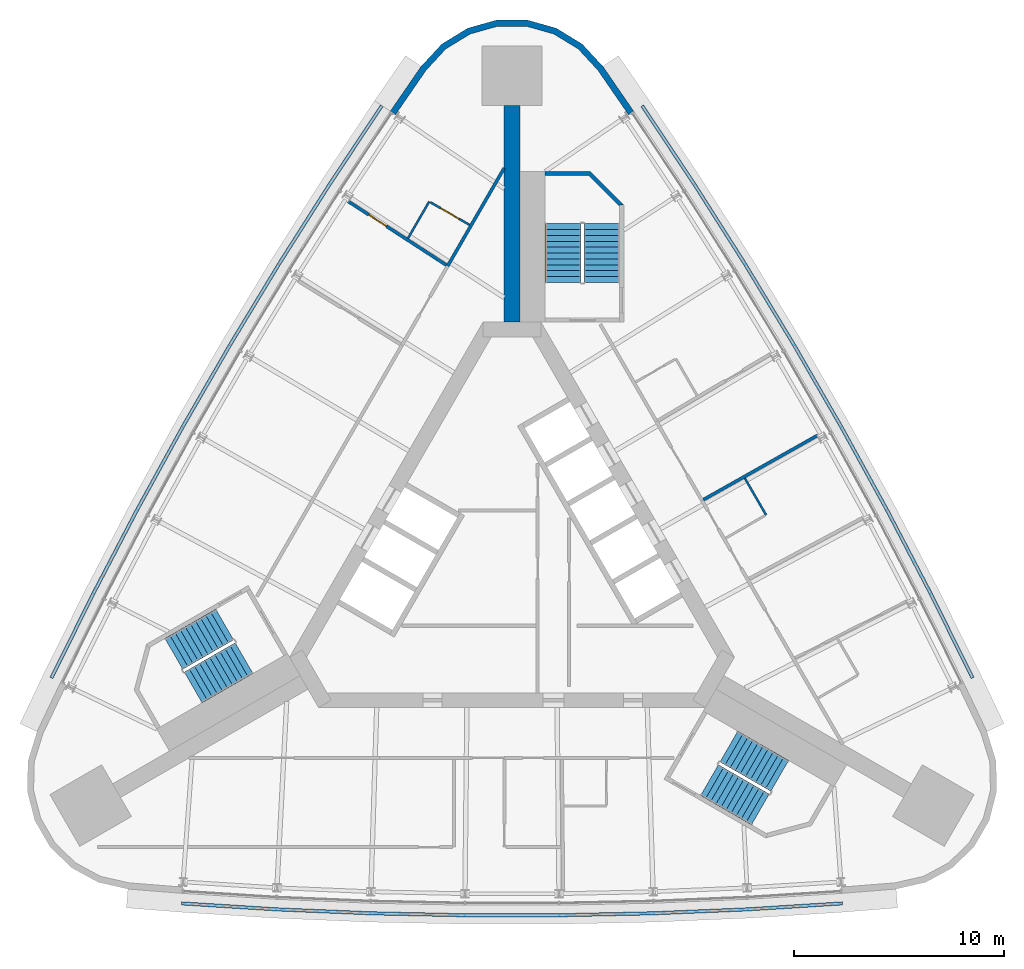
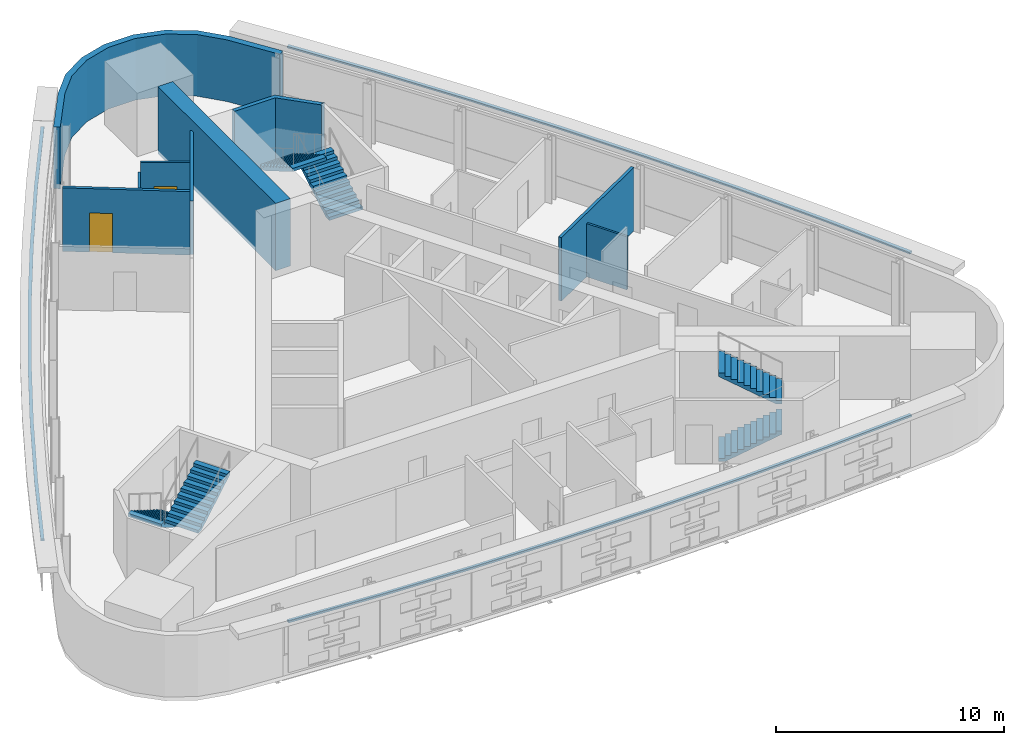
# One storey, part 10 of 12: 9 walls, 6 stair flights, 3 discrete accessories, 2 doors, 2 openings, 3 elements without a shape of their own.
"""IFC4 building model written with IfcOpenShell, lengths in metres."""

from ifc_helpers import new_model, si_unit, direction, frame, frame_2d, origin, place, context, subcontext, project, spatial, polyline, rectangle, outline, extrude, material, layer, layer_set, type_object, element, fill, aggregate, save


model = new_model("IFC4")

# Units and contexts
model_context = context("Model", 3, precision=1e-05, world=origin(), true_north=direction((0.0, 1.0)))
body_context = subcontext(model_context, "Body", "Model", "MODEL_VIEW")
ifc_project = project(units=[si_unit("LENGTHUNIT", "METRE"), si_unit("AREAUNIT", "SQUARE_METRE"), si_unit("VOLUMEUNIT", "CUBIC_METRE"), si_unit("PLANEANGLEUNIT", "RADIAN"), si_unit("MASSUNIT", "GRAM", prefix="KILO")], contexts=[model_context])

# Site, building, storey
site_placement = place(None, origin())
site = spatial("IfcSite", under=ifc_project, at=site_placement, CompositionType="ELEMENT")
building_placement = place(site_placement, origin())
building = spatial("IfcBuilding", under=site, at=building_placement, Name="Noor Cloister Tower", CompositionType="ELEMENT")
storey_placement = place(building_placement, frame((0.0, 0.0, 161.699951171875)))
storey = spatial("IfcBuildingStorey", under=building, at=storey_placement, Name="L41", CompositionType="ELEMENT", Elevation=161.699951171875)

# Walls
ifc_material_1 = material(Name="Concrete C70/85", Category="concrete")
ifc_layer_1 = layer(ifc_material_1, 0.75)
ifc_layer_set_1 = layer_set([ifc_layer_1], Name="Buttress wall 750 C70/85")
wall_type_1 = type_object("IfcWallType", Name="Buttress wall 750 C70/85", PredefinedType="SHEAR", material=ifc_layer_set_1)
wall_1_placement = place(storey_placement, frame((0.0, 11.456298828125, -0.199951171875), z_axis=(0.0, 0.0, 1.0), x_axis=(0.0, 1.0, 0.0)))
element("IfcWall", 1, at=wall_1_placement, inside=storey, type_object=wall_type_1, Name="Buttress wall N L41", PredefinedType="SHEAR", context=body_context, shape_type="SweptSolid", body=[
    extrude(rectangle(XDim=10.330810546875, YDim=0.75, at=frame_2d((5.16552734375, 0.0))), origin(), (0.0, 0.0, 1.0), 3.60009765625),
])
ifc_material_2 = material(Name="Fire-rated gypsum board partition on steel studs, 150 mm", Category="steel")
ifc_layer_2 = layer(ifc_material_2, 0.14990234375)
ifc_layer_set_2 = layer_set([ifc_layer_2], Name="Fire lobby wall 150")
wall_type_2 = type_object("IfcWallType", Name="Fire lobby wall 150", PredefinedType="PARTITIONING", material=ifc_layer_set_2)
wall_2_placement = place(storey_placement, frame((-0.375, 18.806884765625, 0.0), z_axis=(0.0, 0.0, 1.0), x_axis=(-0.499989180974, -0.866031650062, 0.0)))
element("IfcWall", 2, at=wall_2_placement, inside=storey, type_object=wall_type_2, Name="Wall L41-W24", PredefinedType="PARTITIONING", context=body_context, shape_type="SweptSolid", body=[
    extrude(rectangle(XDim=5.3876953125, YDim=0.14990234375, at=frame_2d((2.69384765625, 0.0))), origin(), (0.0, 0.0, 1.0), 2.84716796875),
])
ifc_material_3 = material(Name="Gypsum board partition on steel studs, 150 mm", Category="steel")
ifc_layer_3 = layer(ifc_material_3, 0.14990234375)
ifc_layer_set_3 = layer_set([ifc_layer_3], Name="Flat wall 150")
wall_type_3 = type_object("IfcWallType", Name="Flat wall 150", PredefinedType="PARTITIONING", material=ifc_layer_set_3)
wall_3_placement = place(storey_placement, frame((14.582275390625, 6.060302734375, 0.0), z_axis=(0.0, 0.0, 1.0), x_axis=(-0.871229292109, -0.490876278272, 0.0)))
element("IfcWall", 3, at=wall_3_placement, inside=storey, type_object=wall_type_3, Name="Wall L41-W03", PredefinedType="PARTITIONING", context=body_context, shape_type="SweptSolid", body=[
    extrude(rectangle(XDim=6.255859375, YDim=0.14990234375, at=frame_2d((3.1279296875, 0.0))), origin(), (0.0, 0.0, 1.0), 3.400146484375),
])

# Wall, opening, door
wall_4_placement = place(storey_placement, frame((-7.81982421875, 17.226318359375, 0.0), z_axis=(0.0, 0.0, 1.0), x_axis=(0.838649113596, -0.544672070391, 0.0)))
wall_4 = element("IfcWall", 4, at=wall_4_placement, inside=storey, type_object=wall_type_3, Name="Wall L41-W26", PredefinedType="PARTITIONING", context=body_context, shape_type="SweptSolid", body=[
    extrude(rectangle(XDim=5.58984375, YDim=0.14990234375, at=frame_2d((2.794921875, 0.0))), origin(), (0.0, 0.0, 1.0), 3.400146484375),
])
opening_1_placement = place(wall_4_placement, frame((1.180908203125, 0.0, 0.0)))
opening_1 = element("IfcOpeningElement", 5, at=opening_1_placement, cuts=wall_4, Name="Opening L41-018", PredefinedType="OPENING", context=body_context, shape_type="SweptSolid", body=[
    extrude(rectangle(XDim=1.0, YDim=2.10009765625, at=frame_2d((0.5, 1.050048828125))), frame((0.0, 0.0849609375, 0.0), z_axis=(0.0, -1.0, 0.0), x_axis=(1.0, 0.0, 0.0)), (0.0, 0.0, 1.0), 0.169921875),
])
ifc_material_4 = material(Name="Timber door leaf with steel frame", Category="steel")
door_type_1 = type_object("IfcDoorType", Name="Flat entrance door 1000", OperationType="NOTDEFINED", PredefinedType="DOOR", material=ifc_material_4)
door_1_placement = place(opening_1_placement, origin())
door_1 = element("IfcDoor", 6, at=door_1_placement, inside=storey, type_object=door_type_1, Name="Door L41-018", OperationType="SINGLE_SWING_RIGHT", OverallHeight=2.10009765625, OverallWidth=1.0, PredefinedType="DOOR", context=body_context, shape_type="SweptSolid", body=[
    extrude(rectangle(XDim=1.0, YDim=2.10009765625, at=frame_2d((0.5, 1.050048828125))), frame((0.0, 0.02490234375, 0.0), z_axis=(0.0, -1.0, 0.0), x_axis=(1.0, 0.0, 0.0)), (0.0, 0.0, 1.0), 0.050048828125),
])
fill(opening_1, door_1)

# Walls
ifc_material_5 = material(Name="Limestone", Category="masonry")
ifc_layer_4 = layer(ifc_material_5, 0.300048828125)
ifc_layer_set_4 = layer_set([ifc_layer_4], Name="Limestone cladding 300")
wall_type_4 = type_object("IfcWallType", Name="Limestone cladding 300", PredefinedType="NOTDEFINED", material=ifc_layer_set_4)
wall_5_placement = place(storey_placement, origin())
element("IfcWall", 7, at=wall_5_placement, inside=storey, type_object=wall_type_4, Name="Limestone pier cladding L41 3.1", PredefinedType="NOTDEFINED", context=body_context, shape_type="SweptSolid", body=[
    extrude(outline(polyline([(5.8095703125, 21.5244140625), (4.335693359375, 23.665283203125), (3.3525390625, 24.728271484375), (2.11767578125, 25.484619140625), (0.72412109375, 25.87744140625), (-0.72412109375, 25.87744140625), (-2.11767578125, 25.484619140625), (-3.3525390625, 24.728271484375), (-4.335693359375, 23.665283203125), (-5.8095703125, 21.5244140625), (-5.5625, 21.354248046875), (-4.100830078125, 23.477294921875), (-3.160400390625, 24.494140625), (-1.996337890625, 25.20703125), (-0.6826171875, 25.57763671875), (0.6826171875, 25.57763671875), (1.996337890625, 25.20703125), (3.160400390625, 24.494140625), (4.100830078125, 23.477294921875), (5.5625, 21.354248046875), (5.8095703125, 21.5244140625)])), origin(), (0.0, 0.0, 1.0), 3.300048828125),
])
ifc_material_6 = material(Name="Gypsum board partition on steel studs, 100 mm", Category="steel")
ifc_layer_5 = layer(ifc_material_6, 0.10009765625)
ifc_layer_set_5 = layer_set([ifc_layer_5], Name="Partition 100")
wall_type_5 = type_object("IfcWallType", Name="Partition 100", PredefinedType="PARTITIONING", material=ifc_layer_set_5)
wall_6_placement = place(storey_placement, frame((11.10791015625, 4.016845703125, 0.0), z_axis=(0.0, 0.0, 1.0), x_axis=(0.500028539159, -0.866008926066, 0.0)))
element("IfcWall", 8, at=wall_6_placement, inside=storey, type_object=wall_type_5, Name="Wall L41-W10", PredefinedType="PARTITIONING", context=body_context, shape_type="SweptSolid", body=[
    extrude(rectangle(XDim=2.025390625, YDim=0.10009765625, at=frame_2d((1.0126953125, 0.0))), origin(), (0.0, 0.0, 1.0), 2.84716796875),
])
wall_7_placement = place(storey_placement, frame((-4.962890625, 15.460205078125, 0.0), z_axis=(0.0, 0.0, 1.0), x_axis=(0.499990325971, 0.866030989016, 0.0)))
element("IfcWall", 9, at=wall_7_placement, inside=storey, type_object=wall_type_5, Name="Wall L41-W29", PredefinedType="PARTITIONING", context=body_context, shape_type="SweptSolid", body=[
    extrude(rectangle(XDim=2.02490234375, YDim=0.10009765625, at=frame_2d((1.012451171875, 0.0))), origin(), (0.0, 0.0, 1.0), 2.84716796875),
])

# Wall, opening, door
wall_8_placement = place(storey_placement, frame((-3.9072265625, 17.18896484375, 0.0), z_axis=(0.0, 0.0, 1.0), x_axis=(0.865989304205, -0.500062521093, 0.0)))
wall_8 = element("IfcWall", 10, at=wall_8_placement, inside=storey, type_object=wall_type_5, Name="Wall L41-W30", PredefinedType="PARTITIONING", context=body_context, shape_type="SweptSolid", body=[
    extrude(rectangle(XDim=2.175048828125, YDim=0.10009765625, at=frame_2d((1.08740234375, 0.0))), origin(), (0.0, 0.0, 1.0), 3.400146484375),
])
opening_2_placement = place(wall_8_placement, frame((0.60009765625, 0.0, 0.0)))
opening_2 = element("IfcOpeningElement", 11, at=opening_2_placement, cuts=wall_8, Name="Opening L41-017", PredefinedType="OPENING", context=body_context, shape_type="SweptSolid", body=[
    extrude(rectangle(XDim=1.0, YDim=2.10009765625, at=frame_2d((0.5, 1.050048828125))), frame((0.0, 0.06005859375, 0.0), z_axis=(0.0, -1.0, 0.0), x_axis=(1.0, 0.0, 0.0)), (0.0, 0.0, 1.0), 0.1201171875),
])
ifc_material_7 = material(Name="Timber door leaf with steel frame", Category="steel")
door_type_2 = type_object("IfcDoorType", Name="Interior door 1000", OperationType="NOTDEFINED", PredefinedType="DOOR", material=ifc_material_7)
door_2_placement = place(opening_2_placement, origin())
door_2 = element("IfcDoor", 12, at=door_2_placement, inside=storey, type_object=door_type_2, Name="Door L41-017", OperationType="SINGLE_SWING_LEFT", OverallHeight=2.10009765625, OverallWidth=1.0, PredefinedType="DOOR", context=body_context, shape_type="SweptSolid", body=[
    extrude(rectangle(XDim=1.0, YDim=2.10009765625, at=frame_2d((0.5, 1.050048828125))), frame((0.0, 0.02490234375, 0.0), z_axis=(0.0, -1.0, 0.0), x_axis=(1.0, 0.0, 0.0)), (0.0, 0.0, 1.0), 0.050048828125),
])
fill(opening_2, door_2)

# Wall
ifc_material_8 = material(Name="Concrete C70/85", Category="concrete")
wall_type_6 = type_object("IfcWallType", Name="Stair far end wall C70/85", PredefinedType="SHEAR", material=ifc_material_8)
wall_9_placement = place(storey_placement, frame((0.0, 0.0, -0.199951171875)))
element("IfcWall", 13, at=wall_9_placement, inside=storey, type_object=wall_type_6, Name="Stair enclosure wall ST1 L41 far end", PredefinedType="SHEAR", context=body_context, shape_type="SweptSolid", body=[
    extrude(outline(polyline([(5.335693359375, 17.056396484375), (3.735595703125, 18.656494140625), (1.585693359375, 18.656494140625), (1.585693359375, 18.456298828125), (3.65283203125, 18.456298828125), (5.135498046875, 16.9736328125), (5.135498046875, 17.056396484375), (5.135498046875, 17.056396484375), (5.135498046875, 17.056396484375), (5.135498046875, 17.056396484375), (5.135498046875, 17.056396484375), (5.135498046875, 17.056396484375), (5.135498046875, 17.056396484375), (5.135498046875, 17.056396484375), (5.135498046875, 17.056396484375), (5.135498046875, 17.056396484375), (5.135498046875, 17.056396484375), (5.135498046875, 17.056396484375), (5.135498046875, 17.056396484375), (5.135498046875, 17.056396484375), (5.135498046875, 17.056396484375), (5.135498046875, 17.056396484375), (5.135498046875, 17.056396484375), (5.335693359375, 17.056396484375)])), origin(), (0.0, 0.0, 1.0), 3.60009765625),
])

# Stair, stair flights
ifc_material_9 = material(Name="Concrete C40/50", Category="concrete")
stair_type = type_object("IfcStairType", Name="Exit stair 22 risers", PredefinedType="HALF_TURN_STAIR", material=ifc_material_9)
stair_1_placement = place(storey_placement, origin())
stair_1 = element("IfcStair", 14, at=stair_1_placement, inside=storey, type_object=stair_type, Name="Exit stair ST1 L41", PredefinedType="HALF_TURN_STAIR")
ifc_material_10 = material(Name="Concrete C40/50", Category="concrete")
stair_flight_type = type_object("IfcStairFlightType", Name="Exit stair flight", PredefinedType="STRAIGHT", material=ifc_material_10)
stair_flight_1_placement = place(storey_placement, frame((4.28564453125, 13.3564453125, 0.0), z_axis=(0.0, 0.0, 1.0), x_axis=(0.0, 1.0, 0.0)))
stair_flight_1 = element("IfcStairFlight", 15, at=stair_flight_1_placement, type_object=stair_flight_type, Name="ST1 flight 1", NumberOfRisers=11, NumberOfTreads=10, PredefinedType="STRAIGHT", RiserHeight=0.163636364, TreadLength=0.28, context=body_context, shape_type="SweptSolid", body=[
    extrude(outline(polyline([(0.0, 0.0), (0.0, 0.16357421875), (0.280029296875, 0.16357421875), (0.280029296875, 0.327392578125), (0.56005859375, 0.327392578125), (0.56005859375, 0.490966796875), (0.840087890625, 0.490966796875), (0.840087890625, 0.654541015625), (1.1201171875, 0.654541015625), (1.1201171875, 0.818115234375), (1.39990234375, 0.818115234375), (1.39990234375, 0.98193359375), (1.679931640625, 0.98193359375), (1.679931640625, 1.1455078125), (1.9599609375, 1.1455078125), (1.9599609375, 1.30908203125), (2.239990234375, 1.30908203125), (2.239990234375, 1.47265625), (2.52001953125, 1.47265625), (2.52001953125, 1.636474609375), (2.800048828125, 1.636474609375), (2.800048828125, 1.800048828125), (2.800048828125, 1.462646484375), (0.297119140625, 0.0), (0.0, 0.0)])), frame((0.0, 0.85009765625, 0.0), z_axis=(0.0, -1.0, 0.0), x_axis=(1.0, 0.0, 0.0)), (0.0, 0.0, 1.0), 1.699951171875),
])
stair_flight_2_placement = place(storey_placement, frame((2.435546875, 16.156494140625, 1.800048828125), z_axis=(0.0, 0.0, 1.0), x_axis=(0.0, -1.0, 0.0)))
stair_flight_2 = element("IfcStairFlight", 16, at=stair_flight_2_placement, type_object=stair_flight_type, Name="ST1 flight 2", NumberOfRisers=11, NumberOfTreads=10, PredefinedType="STRAIGHT", RiserHeight=0.163636364, TreadLength=0.28, context=body_context, shape_type="SweptSolid", body=[
    extrude(outline(polyline([(0.0, 0.0), (0.0, 0.16357421875), (0.280029296875, 0.16357421875), (0.280029296875, 0.327392578125), (0.56005859375, 0.327392578125), (0.56005859375, 0.490966796875), (0.840087890625, 0.490966796875), (0.840087890625, 0.654541015625), (1.1201171875, 0.654541015625), (1.1201171875, 0.818115234375), (1.39990234375, 0.818115234375), (1.39990234375, 0.98193359375), (1.679931640625, 0.98193359375), (1.679931640625, 1.1455078125), (1.9599609375, 1.1455078125), (1.9599609375, 1.30908203125), (2.239990234375, 1.30908203125), (2.239990234375, 1.47265625), (2.52001953125, 1.47265625), (2.52001953125, 1.636474609375), (2.800048828125, 1.636474609375), (2.800048828125, 1.800048828125), (2.800048828125, 1.462646484375), (0.297119140625, 0.0), (0.0, 0.0)])), frame((0.0, 0.85009765625, 0.0), z_axis=(0.0, -1.0, 0.0), x_axis=(1.0, 0.0, 0.0)), (0.0, 0.0, 1.0), 1.699951171875),
])
aggregate(stair_1, [stair_flight_1, stair_flight_2])

stair_2_placement = place(storey_placement, origin())
stair_2 = element("IfcStair", 17, at=stair_2_placement, inside=storey, type_object=stair_type, Name="Exit stair ST2 L41", PredefinedType="HALF_TURN_STAIR")
stair_flight_3_placement = place(storey_placement, frame((-13.709716796875, -2.966796875, 0.0), z_axis=(0.0, 0.0, 1.0), x_axis=(-0.866025403784, -0.5, 0.0)))
stair_flight_3 = element("IfcStairFlight", 18, at=stair_flight_3_placement, type_object=stair_flight_type, Name="ST2 flight 1", NumberOfRisers=11, NumberOfTreads=10, PredefinedType="STRAIGHT", RiserHeight=0.163636364, TreadLength=0.28, context=body_context, shape_type="SweptSolid", body=[
    extrude(outline(polyline([(0.0, 0.0), (0.0, 0.16357421875), (0.280029296875, 0.16357421875), (0.280029296875, 0.327392578125), (0.56005859375, 0.327392578125), (0.56005859375, 0.490966796875), (0.840087890625, 0.490966796875), (0.840087890625, 0.654541015625), (1.1201171875, 0.654541015625), (1.1201171875, 0.818115234375), (1.39990234375, 0.818115234375), (1.39990234375, 0.98193359375), (1.679931640625, 0.98193359375), (1.679931640625, 1.1455078125), (1.9599609375, 1.1455078125), (1.9599609375, 1.30908203125), (2.239990234375, 1.30908203125), (2.239990234375, 1.47265625), (2.52001953125, 1.47265625), (2.52001953125, 1.636474609375), (2.800048828125, 1.636474609375), (2.800048828125, 1.800048828125), (2.800048828125, 1.462646484375), (0.297119140625, 0.0), (0.0, 0.0)])), frame((0.0, 0.85009765625, 0.0), z_axis=(0.0, -1.0, 0.0), x_axis=(1.0, 0.0, 0.0)), (0.0, 0.0, 1.0), 1.699951171875),
])
stair_flight_4_placement = place(storey_placement, frame((-15.209716796875, -5.968994140625, 1.800048828125), z_axis=(0.0, 0.0, 1.0), x_axis=(0.866025403784, 0.5, 0.0)))
stair_flight_4 = element("IfcStairFlight", 19, at=stair_flight_4_placement, type_object=stair_flight_type, Name="ST2 flight 2", NumberOfRisers=11, NumberOfTreads=10, PredefinedType="STRAIGHT", RiserHeight=0.163636364, TreadLength=0.28, context=body_context, shape_type="SweptSolid", body=[
    extrude(outline(polyline([(0.0, 0.0), (0.0, 0.16357421875), (0.280029296875, 0.16357421875), (0.280029296875, 0.327392578125), (0.56005859375, 0.327392578125), (0.56005859375, 0.490966796875), (0.840087890625, 0.490966796875), (0.840087890625, 0.654541015625), (1.1201171875, 0.654541015625), (1.1201171875, 0.818115234375), (1.39990234375, 0.818115234375), (1.39990234375, 0.98193359375), (1.679931640625, 0.98193359375), (1.679931640625, 1.1455078125), (1.9599609375, 1.1455078125), (1.9599609375, 1.30908203125), (2.239990234375, 1.30908203125), (2.239990234375, 1.47265625), (2.52001953125, 1.47265625), (2.52001953125, 1.636474609375), (2.800048828125, 1.636474609375), (2.800048828125, 1.800048828125), (2.800048828125, 1.462646484375), (0.297119140625, 0.0), (0.0, 0.0)])), frame((0.0, 0.85009765625, 0.0), z_axis=(0.0, -1.0, 0.0), x_axis=(1.0, 0.0, 0.0)), (0.0, 0.0, 1.0), 1.699951171875),
])
aggregate(stair_2, [stair_flight_3, stair_flight_4])

stair_3_placement = place(storey_placement, origin())
stair_3 = element("IfcStair", 20, at=stair_3_placement, inside=storey, type_object=stair_type, Name="Exit stair ST3 L41", PredefinedType="HALF_TURN_STAIR")
stair_flight_5_placement = place(storey_placement, frame((9.424072265625, -10.3896484375, 0.0), z_axis=(0.0, 0.0, 1.0), x_axis=(0.866025403784, -0.5, 0.0)))
stair_flight_5 = element("IfcStairFlight", 21, at=stair_flight_5_placement, type_object=stair_flight_type, Name="ST3 flight 1", NumberOfRisers=11, NumberOfTreads=10, PredefinedType="STRAIGHT", RiserHeight=0.163636364, TreadLength=0.28, context=body_context, shape_type="SweptSolid", body=[
    extrude(outline(polyline([(0.0, 0.0), (0.0, 0.16357421875), (0.280029296875, 0.16357421875), (0.280029296875, 0.327392578125), (0.56005859375, 0.327392578125), (0.56005859375, 0.490966796875), (0.840087890625, 0.490966796875), (0.840087890625, 0.654541015625), (1.1201171875, 0.654541015625), (1.1201171875, 0.818115234375), (1.39990234375, 0.818115234375), (1.39990234375, 0.98193359375), (1.679931640625, 0.98193359375), (1.679931640625, 1.1455078125), (1.9599609375, 1.1455078125), (1.9599609375, 1.30908203125), (2.239990234375, 1.30908203125), (2.239990234375, 1.47265625), (2.52001953125, 1.47265625), (2.52001953125, 1.636474609375), (2.800048828125, 1.636474609375), (2.800048828125, 1.800048828125), (2.800048828125, 1.462646484375), (0.297119140625, 0.0), (0.0, 0.0)])), frame((0.0, 0.85009765625, 0.0), z_axis=(0.0, -1.0, 0.0), x_axis=(1.0, 0.0, 0.0)), (0.0, 0.0, 1.0), 1.699951171875),
])
stair_flight_6_placement = place(storey_placement, frame((12.77392578125, -10.1875, 1.800048828125), z_axis=(0.0, 0.0, 1.0), x_axis=(-0.866025403784, 0.5, 0.0)))
stair_flight_6 = element("IfcStairFlight", 22, at=stair_flight_6_placement, type_object=stair_flight_type, Name="ST3 flight 2", NumberOfRisers=11, NumberOfTreads=10, PredefinedType="STRAIGHT", RiserHeight=0.163636364, TreadLength=0.28, context=body_context, shape_type="SweptSolid", body=[
    extrude(outline(polyline([(0.0, 0.0), (0.0, 0.16357421875), (0.280029296875, 0.16357421875), (0.280029296875, 0.327392578125), (0.56005859375, 0.327392578125), (0.56005859375, 0.490966796875), (0.840087890625, 0.490966796875), (0.840087890625, 0.654541015625), (1.1201171875, 0.654541015625), (1.1201171875, 0.818115234375), (1.39990234375, 0.818115234375), (1.39990234375, 0.98193359375), (1.679931640625, 0.98193359375), (1.679931640625, 1.1455078125), (1.9599609375, 1.1455078125), (1.9599609375, 1.30908203125), (2.239990234375, 1.30908203125), (2.239990234375, 1.47265625), (2.52001953125, 1.47265625), (2.52001953125, 1.636474609375), (2.800048828125, 1.636474609375), (2.800048828125, 1.800048828125), (2.800048828125, 1.462646484375), (0.297119140625, 0.0), (0.0, 0.0)])), frame((0.0, 0.85009765625, 0.0), z_axis=(0.0, -1.0, 0.0), x_axis=(1.0, 0.0, 0.0)), (0.0, 0.0, 1.0), 1.699951171875),
])
aggregate(stair_3, [stair_flight_5, stair_flight_6])

# Discrete accessories
ifc_material_11 = material(Name="Stainless steel grade 316", Category="steel")
discrete_accessory_type = type_object("IfcDiscreteAccessoryType", Name="Stainless hanger rail", PredefinedType="BRACKET", material=ifc_material_11)
discrete_accessory_1_placement = place(storey_placement, frame((0.0, 0.0, 3.199951171875)))
element("IfcDiscreteAccessory", 23, at=discrete_accessory_1_placement, inside=storey, type_object=discrete_accessory_type, Name="Hanger rail L41", PredefinedType="BRACKET", context=body_context, shape_type="SweptSolid", body=[
    extrude(outline(polyline([(-6.276123046875, 21.834228515625), (-8.76953125, 18.081298828125), (-11.18701171875, 14.27197265625), (-13.524169921875, 10.4130859375), (-15.780029296875, 6.505859375), (-17.953369140625, 2.55224609375), (-20.043701171875, -1.446044921875), (-22.047119140625, -5.48193359375), (-21.90380859375, -5.55322265625), (-19.901123046875, -1.518798828125), (-17.8125, 2.4765625), (-15.640625, 6.42724609375), (-13.386474609375, 10.33154296875), (-11.051025390625, 14.187744140625), (-8.63525390625, 17.994140625), (-6.142822265625, 21.745849609375), (-6.276123046875, 21.834228515625)])), origin(), (0.0, 0.0, 1.0), 0.10009765625),
])
discrete_accessory_2_placement = place(storey_placement, frame((0.0, 0.0, 3.199951171875)))
element("IfcDiscreteAccessory", 24, at=discrete_accessory_2_placement, inside=storey, type_object=discrete_accessory_type, Name="Hanger rail L41", PredefinedType="BRACKET", context=body_context, shape_type="SweptSolid", body=[
    extrude(outline(polyline([(-15.77099609375, -16.352294921875), (-11.274169921875, -16.63525390625), (-6.7666015625, -16.82421875), (-2.255859375, -16.918701171875), (2.255859375, -16.918701171875), (6.7666015625, -16.82421875), (11.274169921875, -16.63525390625), (15.77099609375, -16.352294921875), (15.760986328125, -16.192626953125), (11.265869140625, -16.4755859375), (6.761474609375, -16.664306640625), (2.254150390625, -16.7587890625), (-2.254150390625, -16.7587890625), (-6.761474609375, -16.664306640625), (-11.265869140625, -16.4755859375), (-15.760986328125, -16.192626953125), (-15.77099609375, -16.352294921875)])), origin(), (0.0, 0.0, 1.0), 0.10009765625),
])
discrete_accessory_3_placement = place(storey_placement, frame((0.0, 0.0, 3.199951171875)))
element("IfcDiscreteAccessory", 25, at=discrete_accessory_3_placement, inside=storey, type_object=discrete_accessory_type, Name="Hanger rail L41", PredefinedType="BRACKET", context=body_context, shape_type="SweptSolid", body=[
    extrude(outline(polyline([(22.047119140625, -5.48193359375), (20.043701171875, -1.446044921875), (17.953369140625, 2.55224609375), (15.780029296875, 6.505859375), (13.524169921875, 10.4130859375), (11.18701171875, 14.27197265625), (8.76953125, 18.081298828125), (6.276123046875, 21.834228515625), (6.142822265625, 21.745849609375), (8.63525390625, 17.994140625), (11.051025390625, 14.187744140625), (13.386474609375, 10.33154296875), (15.640625, 6.42724609375), (17.8125, 2.4765625), (19.901123046875, -1.518798828125), (21.90380859375, -5.55322265625), (22.047119140625, -5.48193359375)])), origin(), (0.0, 0.0, 1.0), 0.10009765625),
])

save(model, "model.ifc")
